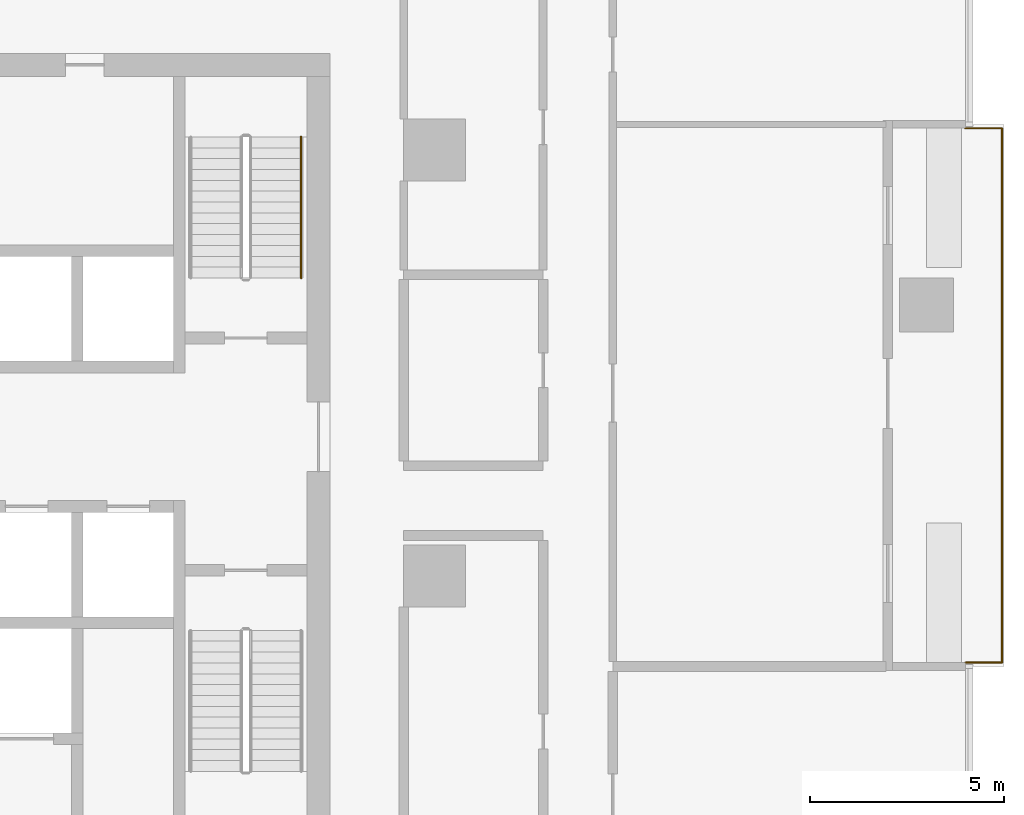
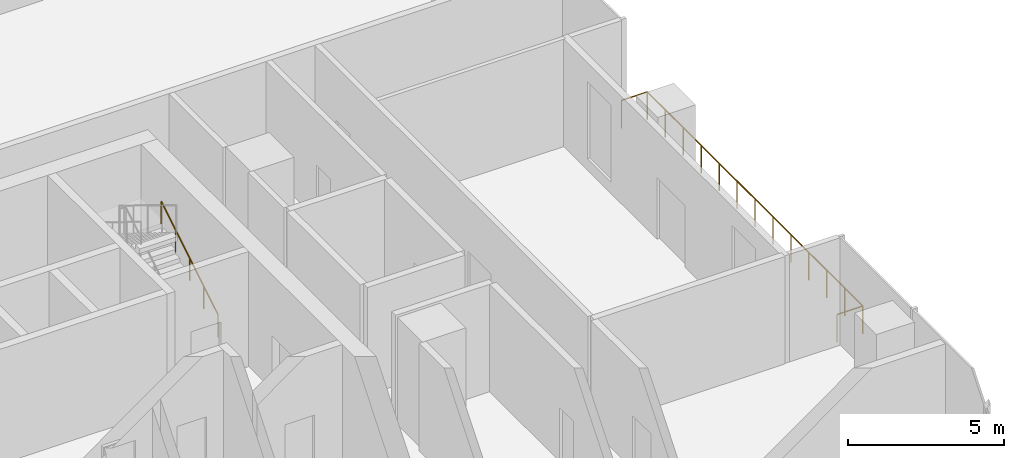
# One storey, part 15 of 15: 2 railings.
"""IFC4 building model written with IfcOpenShell, lengths in metres."""

from ifc_helpers import new_model, si_unit, direction, frame, origin, origin_2d, place, context, subcontext, project, spatial, circle, extrude, material, type_object, element, save


model = new_model("IFC4")

# Units and contexts
model_context = context("Model", 3, precision=1e-05, world=origin(), true_north=direction((0.0, 1.0)))
body_context = subcontext(model_context, "Body", "Model", "MODEL_VIEW")
ifc_project = project(units=[si_unit("LENGTHUNIT", "METRE"), si_unit("AREAUNIT", "SQUARE_METRE"), si_unit("VOLUMEUNIT", "CUBIC_METRE"), si_unit("PLANEANGLEUNIT", "RADIAN"), si_unit("MASSUNIT", "GRAM", prefix="KILO")], contexts=[model_context])

# Site, building, storey
site_placement = place(None, origin())
site = spatial("IfcSite", under=ifc_project, at=site_placement, CompositionType="ELEMENT")
building_placement = place(site_placement, origin())
building = spatial("IfcBuilding", under=site, at=building_placement, Name="Mopane Tessera Tower", CompositionType="ELEMENT")
storey_placement = place(building_placement, frame((0.0, 0.0, 83.800048828125)))
storey = spatial("IfcBuildingStorey", under=building, at=storey_placement, Name="L16", CompositionType="ELEMENT", Elevation=83.800048828125)

# Railings
ifc_material_1 = material(Name="Powder-coated steel balustrade", Category="steel")
railing_type_1 = type_object("IfcRailingType", Name="Escape stair handrail 900 mm", PredefinedType="HANDRAIL", material=ifc_material_1)
railing_1_placement = place(storey_placement, frame((13.64990234375, 7.699951171875, 0.17138671875)))
element("IfcRailing", 1, at=railing_1_placement, inside=storey, type_object=railing_type_1, Name="L16 ST4 stair handrail 1", PredefinedType="HANDRAIL", context=body_context, shape_type="SweptSolid", body=[
    extrude(circle(Radius=0.02392578125, at=origin_2d()), frame((0.0, 0.0, 0.8759765625), z_axis=(0.0, 0.852865859571, 0.52213008492), x_axis=(-1.0, 0.0, 0.0)), (0.0, 0.0, 1.0), 4.26806640625),
    extrude(circle(Radius=0.02099609375, at=origin_2d()), origin(), (0.0, 0.0, 1.0), 0.851806640625),
    extrude(circle(Radius=0.02099609375, at=origin_2d()), frame((0.0, 0.91015625, 0.55712890625)), (0.0, 0.0, 1.0), 0.851806640625),
    extrude(circle(Radius=0.02099609375, at=origin_2d()), frame((0.0, 1.820068359375, 1.1142578125)), (0.0, 0.0, 1.0), 0.851806640625),
    extrude(circle(Radius=0.02099609375, at=origin_2d()), frame((0.0, 2.72998046875, 1.67138671875)), (0.0, 0.0, 1.0), 0.851806640625),
    extrude(circle(Radius=0.02099609375, at=origin_2d()), frame((0.0, 3.64013671875, 2.228515625)), (0.0, 0.0, 1.0), 0.851806640625),
])
ifc_material_2 = material(Name="Stainless steel S316", Category="steel")
railing_type_2 = type_object("IfcRailingType", Name="Terrace guard 1100", PredefinedType="GUARDRAIL", material=ifc_material_2)
railing_2_placement = place(storey_placement, frame((30.800048828125, -2.2333984375, 0.0)))
element("IfcRailing", 2, at=railing_2_placement, inside=storey, type_object=railing_type_2, Name="e:nw:L16:N1:guard", PredefinedType="GUARDRAIL", context=body_context, shape_type="SweptSolid", body=[
    extrude(circle(Radius=0.02392578125, at=origin_2d()), frame((0.0, 0.0, 1.076171875), z_axis=(1.0, 0.0, 0.0), x_axis=(0.0, 1.0, 0.0)), (0.0, 0.0, 1.0), 0.949951171875),
    extrude(circle(Radius=0.02392578125, at=origin_2d()), frame((0.949951171875, 0.0, 1.076171875), z_axis=(0.0, 1.0, 0.0), x_axis=(-1.0, 0.0, 0.0)), (0.0, 0.0, 1.0), 13.800048828125),
    extrude(circle(Radius=0.02392578125, at=origin_2d()), frame((0.949951171875, 13.800048828125, 1.076171875), z_axis=(-1.0, 0.0, 0.0), x_axis=(0.0, -1.0, 0.0)), (0.0, 0.0, 1.0), 0.949951171875),
    extrude(circle(Radius=0.02099609375, at=origin_2d()), origin(), (0.0, 0.0, 1.0), 1.052001953125),
    extrude(circle(Radius=0.02099609375, at=origin_2d()), frame((0.949951171875, 0.0, 0.0)), (0.0, 0.0, 1.0), 1.052001953125),
    extrude(circle(Radius=0.02099609375, at=origin_2d()), frame((0.949951171875, 1.14990234375, 0.0)), (0.0, 0.0, 1.0), 1.052001953125),
    extrude(circle(Radius=0.02099609375, at=origin_2d()), frame((0.949951171875, 2.300048828125, 0.0)), (0.0, 0.0, 1.0), 1.052001953125),
    extrude(circle(Radius=0.02099609375, at=origin_2d()), frame((0.949951171875, 3.449951171875, 0.0)), (0.0, 0.0, 1.0), 1.052001953125),
    extrude(circle(Radius=0.02099609375, at=origin_2d()), frame((0.949951171875, 4.60009765625, 0.0)), (0.0, 0.0, 1.0), 1.052001953125),
    extrude(circle(Radius=0.02099609375, at=origin_2d()), frame((0.949951171875, 5.75, 0.0)), (0.0, 0.0, 1.0), 1.052001953125),
    extrude(circle(Radius=0.02099609375, at=origin_2d()), frame((0.949951171875, 6.89990234375, 0.0)), (0.0, 0.0, 1.0), 1.052001953125),
    extrude(circle(Radius=0.02099609375, at=origin_2d()), frame((0.949951171875, 8.050048828125, 0.0)), (0.0, 0.0, 1.0), 1.052001953125),
    extrude(circle(Radius=0.02099609375, at=origin_2d()), frame((0.949951171875, 9.199951171875, 0.0)), (0.0, 0.0, 1.0), 1.052001953125),
    extrude(circle(Radius=0.02099609375, at=origin_2d()), frame((0.949951171875, 10.35009765625, 0.0)), (0.0, 0.0, 1.0), 1.052001953125),
    extrude(circle(Radius=0.02099609375, at=origin_2d()), frame((0.949951171875, 11.5, 0.0)), (0.0, 0.0, 1.0), 1.052001953125),
    extrude(circle(Radius=0.02099609375, at=origin_2d()), frame((0.949951171875, 12.650146484375, 0.0)), (0.0, 0.0, 1.0), 1.052001953125),
    extrude(circle(Radius=0.02099609375, at=origin_2d()), frame((0.949951171875, 13.800048828125, 0.0)), (0.0, 0.0, 1.0), 1.052001953125),
    extrude(circle(Radius=0.02099609375, at=origin_2d()), frame((0.0, 13.800048828125, 0.0)), (0.0, 0.0, 1.0), 1.052001953125),
])

save(model, "model.ifc")
